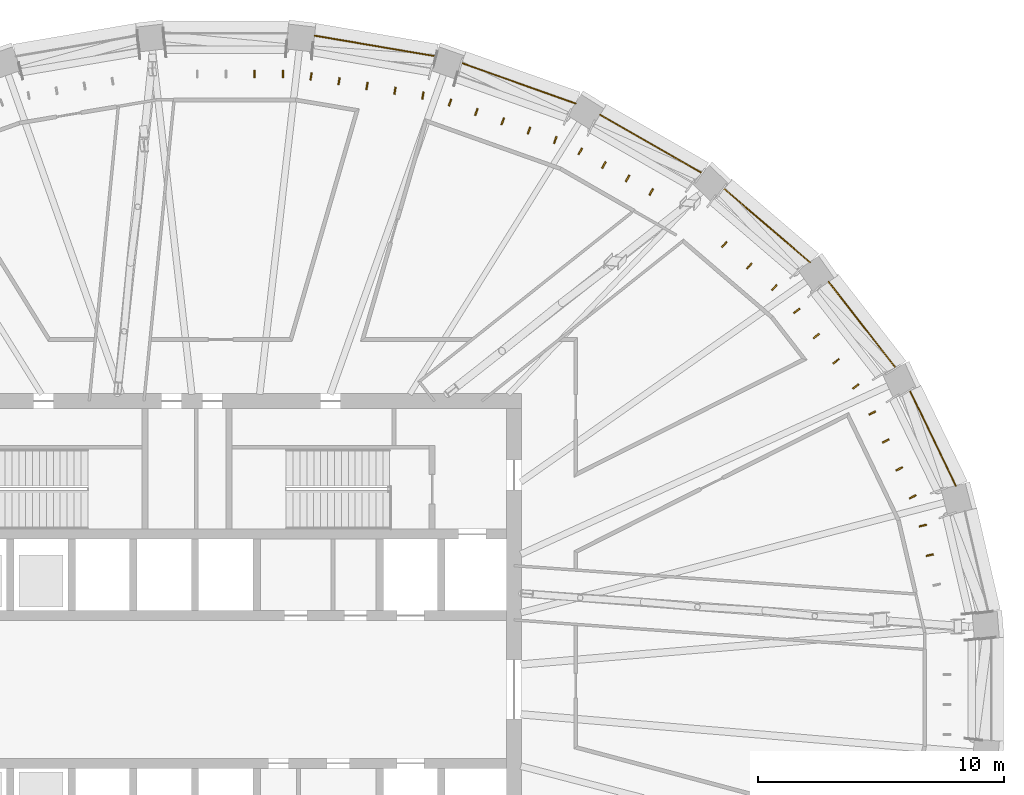
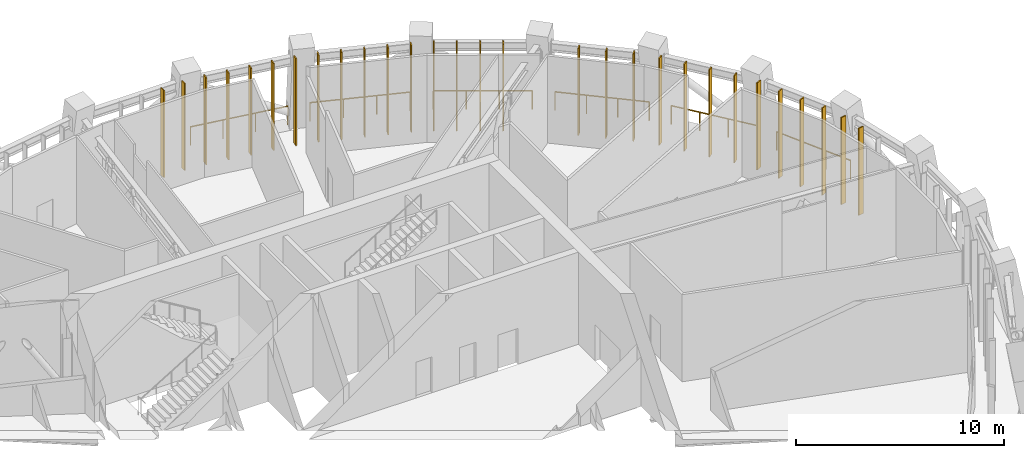
# One storey, part 19 of 20: 29 shading devices, 6 railings.
"""IFC4 building model written with IfcOpenShell, lengths in metres."""

from ifc_helpers import new_model, si_unit, direction, frame, origin, origin_2d, place, context, subcontext, project, spatial, rectangle, circle, extrude, material, material_profile, profile_set, type_object, element, save


model = new_model("IFC4")

# Units and contexts
model_context = context("Model", 3, precision=1e-05, world=origin(), true_north=direction((0.0, 1.0)))
body_context = subcontext(model_context, "Body", "Model", "MODEL_VIEW")
ifc_project = project(units=[si_unit("LENGTHUNIT", "METRE"), si_unit("AREAUNIT", "SQUARE_METRE"), si_unit("VOLUMEUNIT", "CUBIC_METRE"), si_unit("PLANEANGLEUNIT", "RADIAN"), si_unit("MASSUNIT", "GRAM", prefix="KILO")], contexts=[model_context])

# Site, building, storey
site_placement = place(None, origin())
site = spatial("IfcSite", under=ifc_project, at=site_placement, CompositionType="ELEMENT")
building_placement = place(site_placement, origin())
building = spatial("IfcBuilding", under=site, at=building_placement, Name="Halqa Exchange Tower", CompositionType="ELEMENT")
storey_placement = place(building_placement, frame((0.0, 0.0, 250.89990234375)))
storey = spatial("IfcBuildingStorey", under=building, at=storey_placement, Name="L58", CompositionType="ELEMENT", Elevation=250.89990234375)

# Shading devices
ifc_material_1 = material(Name="Anodised aluminium", Category="aluminium")
ifc_material_profile = material_profile(ifc_material_1, rectangle(XDim=0.300048828125, YDim=0.06005859375, at=origin_2d()), Name="AL FIN 300x60")
ifc_profile_set = profile_set([ifc_material_profile], Name="Anodised aluminium")
shading_device_type = type_object("IfcShadingDeviceType", Name="Aluminium louvre FIN 300 x 60", PredefinedType="USERDEFINED", material=ifc_profile_set)
for number, where, z_axis, x_axis, name in (
    (1, (28.568359375, 5.447998046875, 0.0), (0.0, 0.0, 1.0), (-0.974113055311, -0.226061397572, 0.0), "Louvre FIN 1.3"),
    (2, (28.289794921875, 6.648681640625, 0.0), (0.0, 0.0, 1.0), (-0.974113055311, -0.226061397572, 0.0), "Louvre FIN 1.4"),
    (3, (27.876708984375, 7.815673828125, 0.0), (0.0, 0.0, 1.0), (-0.900385607481, -0.435092815203, 0.0), "Louvre FIN 2.1"),
    (4, (27.3291015625, 8.948974609375, 0.0), (0.0, 0.0, 1.0), (-0.900385607481, -0.435092815203, 0.0), "Louvre FIN 2.2"),
    (5, (26.781494140625, 10.08203125, 0.0), (0.0, 0.0, 1.0), (-0.900385607481, -0.435092815203, 0.0), "Louvre FIN 2.3"),
    (6, (26.23388671875, 11.21533203125, 0.0), (0.0, 0.0, 1.0), (-0.900385607481, -0.435092815203, 0.0), "Louvre FIN 2.4"),
    (7, (25.5615234375, 12.293212890625, 0.0), (0.0, 0.0, 1.0), (-0.788670063644, -0.614816664309, 0.0), "Louvre FIN 3.1"),
    (8, (24.764404296875, 13.31591796875, 0.0), (0.0, 0.0, 1.0), (-0.788670063644, -0.614816664309, 0.0), "Louvre FIN 3.2"),
    (9, (23.967041015625, 14.33837890625, 0.0), (0.0, 0.0, 1.0), (-0.788670063644, -0.614816664309, 0.0), "Louvre FIN 3.3"),
    (10, (23.169921875, 15.361083984375, 0.0), (0.0, 0.0, 1.0), (-0.788670063644, -0.614816664309, 0.0), "Louvre FIN 3.4"),
    (11, (22.2626953125, 16.30810546875, 0.0), (0.0, 0.0, 1.0), (-0.650795419867, -0.759253133994, 0.0), "Louvre FIN 4.1"),
    (12, (21.245361328125, 17.180419921875, 0.0), (0.0, 0.0, 1.0), (-0.650795419867, -0.759253133994, 0.0), "Louvre FIN 4.2"),
    (13, (20.22802734375, 18.05224609375, 0.0), (0.0, 0.0, 1.0), (-0.650795419867, -0.759253133994, 0.0), "Louvre FIN 4.3"),
    (14, (17.26318359375, 20.184326171875, 0.0), (0.0, 0.0, 1.0), (-0.496984562745, -0.867759381622, 0.0), "Louvre FIN 5.2"),
    (15, (16.303955078125, 20.733642578125, 0.0), (0.0, 0.0, 1.0), (-0.496984562745, -0.867759381622, 0.0), "Louvre FIN 5.3"),
    (16, (15.3447265625, 21.283203125, 0.0), (0.0, 0.0, 1.0), (-0.496984562745, -0.867759381622, 0.0), "Louvre FIN 5.4"),
    (17, (14.385498046875, 21.83251953125, 0.0), (0.0, 0.0, 1.0), (-0.496984562745, -0.867759381622, 0.0), "Louvre FIN 5.5"),
    (18, (13.371826171875, 22.296875, 0.0), (0.0, 0.0, 1.0), (-0.334578355387, -0.94236793457, 0.0), "Louvre FIN 6.1"),
    (19, (12.30419921875, 22.67578125, 0.0), (0.0, 0.0, 1.0), (-0.334578355387, -0.94236793457, 0.0), "Louvre FIN 6.2"),
    (20, (11.236328125, 23.054931640625, 0.0), (0.0, 0.0, 1.0), (-0.334578355387, -0.94236793457, 0.0), "Louvre FIN 6.3"),
    (21, (10.168701171875, 23.43408203125, 0.0), (0.0, 0.0, 1.0), (-0.334578355387, -0.94236793457, 0.0), "Louvre FIN 6.4"),
    (22, (9.100830078125, 23.81298828125, 0.0), (0.0, 0.0, 1.0), (-0.334578355387, -0.94236793457, 0.0), "Louvre FIN 6.5"),
    (23, (7.999755859375, 24.099365234375, 0.0), (0.0, 0.0, 1.0), (-0.168066151282, -0.985775719316, 0.0), "Louvre FIN 7.1"),
    (24, (6.864990234375, 24.29296875, 0.0), (0.0, 0.0, 1.0), (-0.168066151282, -0.985775719316, 0.0), "Louvre FIN 7.2"),
    (25, (5.730224609375, 24.486328125, 0.0), (0.0, 0.0, 1.0), (-0.168066151282, -0.985775719316, 0.0), "Louvre FIN 7.3"),
    (26, (4.595458984375, 24.6796875, 0.0), (0.0, 0.0, 1.0), (-0.168066151282, -0.985775719316, 0.0), "Louvre FIN 7.4"),
    (27, (3.460693359375, 24.873291015625, 0.0), (0.0, 0.0, 1.0), (-0.168066151282, -0.985775719316, 0.0), "Louvre FIN 7.5"),
    (28, (2.314697265625, 24.969970703125, 0.0), (0.0, 0.0, 1.0), (0.0, -1.0, 0.0), "Louvre FIN 8.1"),
    (29, (1.157470703125, 24.969970703125, 0.0), (0.0, 0.0, 1.0), (0.0, -1.0, 0.0), "Louvre FIN 8.2"),
):
    element("IfcShadingDevice", number, at=place(storey_placement, frame(where, z_axis=z_axis, x_axis=x_axis)), inside=storey, type_object=shading_device_type, Name=name, ObjectType="FIN", PredefinedType="USERDEFINED", context=body_context, shape_type="SweptSolid", body=[
        extrude(rectangle(XDim=0.300048828125, YDim=0.06005859375, at=origin_2d()), origin(), (0.0, 0.0, 1.0), 5.10009765625),
    ])

# Railings
ifc_material_2 = material(Name="Stainless steel", Category="steel")
railing_type = type_object("IfcRailingType", Name="Guard 1100 stainless steel", PredefinedType="GUARDRAIL", material=ifc_material_2)
railing_1_placement = place(storey_placement, frame((29.627197265625, 8.260986328125, 0.0)))
element("IfcRailing", 30, at=railing_1_placement, inside=storey, type_object=railing_type, Name="Band edge guard 2", PredefinedType="GUARDRAIL", context=body_context, shape_type="SweptSolid", body=[
    extrude(circle(Radius=0.02392578125, at=origin_2d()), frame((0.0, 0.0, 1.076171875), z_axis=(-0.435128594947, 0.900368316779, 0.0), x_axis=(-0.900368316779, -0.435128594947, 0.0)), (0.0, 0.0, 1.0), 4.281005859375),
    extrude(circle(Radius=0.02099609375, at=origin_2d()), origin(), (0.0, 0.0, 1.0), 1.052001953125),
    extrude(circle(Radius=0.02099609375, at=origin_2d()), frame((-0.620849609375, 1.284912109375, 0.0)), (0.0, 0.0, 1.0), 1.052001953125),
    extrude(circle(Radius=0.02099609375, at=origin_2d()), frame((-1.241943359375, 2.569580078125, 0.0)), (0.0, 0.0, 1.0), 1.052001953125),
    extrude(circle(Radius=0.02099609375, at=origin_2d()), frame((-1.86279296875, 3.8544921875, 0.0)), (0.0, 0.0, 1.0), 1.052001953125),
])
railing_2_placement = place(storey_placement, frame((27.18701171875, 13.044677734375, 0.0)))
element("IfcRailing", 31, at=railing_2_placement, inside=storey, type_object=railing_type, Name="Band edge guard 3", PredefinedType="GUARDRAIL", context=body_context, shape_type="SweptSolid", body=[
    extrude(circle(Radius=0.02392578125, at=origin_2d()), frame((0.0, 0.0, 1.076171875), z_axis=(-0.614837099367, 0.788654132838, 0.0), x_axis=(-0.788654132838, -0.614837099367, 0.0)), (0.0, 0.0, 1.0), 4.4287109375),
    extrude(circle(Radius=0.02099609375, at=origin_2d()), origin(), (0.0, 0.0, 1.0), 1.052001953125),
    extrude(circle(Radius=0.02099609375, at=origin_2d()), frame((-0.90771484375, 1.164306640625, 0.0)), (0.0, 0.0, 1.0), 1.052001953125),
    extrude(circle(Radius=0.02099609375, at=origin_2d()), frame((-1.815185546875, 2.328369140625, 0.0)), (0.0, 0.0, 1.0), 1.052001953125),
    extrude(circle(Radius=0.02099609375, at=origin_2d()), frame((-2.722900390625, 3.49267578125, 0.0)), (0.0, 0.0, 1.0), 1.052001953125),
])
railing_3_placement = place(storey_placement, frame((23.70849609375, 17.3291015625, 0.0)))
element("IfcRailing", 32, at=railing_3_placement, inside=storey, type_object=railing_type, Name="Band edge guard 4", PredefinedType="GUARDRAIL", context=body_context, shape_type="SweptSolid", body=[
    extrude(circle(Radius=0.02392578125, at=origin_2d()), frame((0.0, 0.0, 1.076171875), z_axis=(-0.759260350244, 0.650787000905, 0.0), x_axis=(-0.650787000905, -0.759260350244, 0.0)), (0.0, 0.0, 1.0), 4.59814453125),
    extrude(circle(Radius=0.02099609375, at=origin_2d()), origin(), (0.0, 0.0, 1.0), 1.052001953125),
    extrude(circle(Radius=0.02099609375, at=origin_2d()), frame((-1.163818359375, 0.99755859375, 0.0)), (0.0, 0.0, 1.0), 1.052001953125),
    extrude(circle(Radius=0.02099609375, at=origin_2d()), frame((-2.327392578125, 1.994873046875, 0.0)), (0.0, 0.0, 1.0), 1.052001953125),
    extrude(circle(Radius=0.02099609375, at=origin_2d()), frame((-3.4912109375, 2.992431640625, 0.0)), (0.0, 0.0, 1.0), 1.052001953125),
])
railing_4_placement = place(storey_placement, frame((19.322509765625, 20.952880859375, 0.0)))
element("IfcRailing", 33, at=railing_4_placement, inside=storey, type_object=railing_type, Name="Band edge guard 5", PredefinedType="GUARDRAIL", context=body_context, shape_type="SweptSolid", body=[
    extrude(circle(Radius=0.02392578125, at=origin_2d()), frame((0.0, 0.0, 1.076171875), z_axis=(-0.867760081541, 0.496983340651, 0.0), x_axis=(-0.496983340651, -0.867760081541, 0.0)), (0.0, 0.0, 1.0), 4.7626953125),
    extrude(circle(Radius=0.02099609375, at=origin_2d()), origin(), (0.0, 0.0, 1.0), 1.052001953125),
    extrude(circle(Radius=0.02099609375, at=origin_2d()), frame((-1.377685546875, 0.7890625, 0.0)), (0.0, 0.0, 1.0), 1.052001953125),
    extrude(circle(Radius=0.02099609375, at=origin_2d()), frame((-2.755126953125, 1.577880859375, 0.0)), (0.0, 0.0, 1.0), 1.052001953125),
    extrude(circle(Radius=0.02099609375, at=origin_2d()), frame((-4.1328125, 2.366943359375, 0.0)), (0.0, 0.0, 1.0), 1.052001953125),
])
railing_5_placement = place(storey_placement, frame((14.194091796875, 23.777099609375, 0.0)))
element("IfcRailing", 34, at=railing_5_placement, inside=storey, type_object=railing_type, Name="Band edge guard 6", PredefinedType="GUARDRAIL", context=body_context, shape_type="SweptSolid", body=[
    extrude(circle(Radius=0.02392578125, at=origin_2d()), frame((0.0, 0.0, 1.076171875), z_axis=(-0.942363882557, 0.334589768002, 0.0), x_axis=(-0.334589768002, -0.942363882557, 0.0)), (0.0, 0.0, 1.0), 4.898193359375),
    extrude(circle(Radius=0.02099609375, at=origin_2d()), origin(), (0.0, 0.0, 1.0), 1.052001953125),
    extrude(circle(Radius=0.02099609375, at=origin_2d()), frame((-1.53857421875, 0.54638671875, 0.0)), (0.0, 0.0, 1.0), 1.052001953125),
    extrude(circle(Radius=0.02099609375, at=origin_2d()), frame((-3.077392578125, 1.092529296875, 0.0)), (0.0, 0.0, 1.0), 1.052001953125),
    extrude(circle(Radius=0.02099609375, at=origin_2d()), frame((-4.615966796875, 1.638916015625, 0.0)), (0.0, 0.0, 1.0), 1.052001953125),
])
railing_6_placement = place(storey_placement, frame((8.517822265625, 25.6923828125, 0.0)))
element("IfcRailing", 35, at=railing_6_placement, inside=storey, type_object=railing_type, Name="Band edge guard 7", PredefinedType="GUARDRAIL", context=body_context, shape_type="SweptSolid", body=[
    extrude(circle(Radius=0.02392578125, at=origin_2d()), frame((0.0, 0.0, 1.076171875), z_axis=(-0.985770472782, 0.168096921419, 0.0), x_axis=(-0.168096921419, -0.985770472782, 0.0)), (0.0, 0.0, 1.0), 4.987548828125),
    extrude(circle(Radius=0.02099609375, at=origin_2d()), origin(), (0.0, 0.0, 1.0), 1.052001953125),
    extrude(circle(Radius=0.02099609375, at=origin_2d()), frame((-1.638916015625, 0.279541015625, 0.0)), (0.0, 0.0, 1.0), 1.052001953125),
    extrude(circle(Radius=0.02099609375, at=origin_2d()), frame((-3.277587890625, 0.558837890625, 0.0)), (0.0, 0.0, 1.0), 1.052001953125),
    extrude(circle(Radius=0.02099609375, at=origin_2d()), frame((-4.91650390625, 0.83837890625, 0.0)), (0.0, 0.0, 1.0), 1.052001953125),
])

save(model, "model.ifc")
